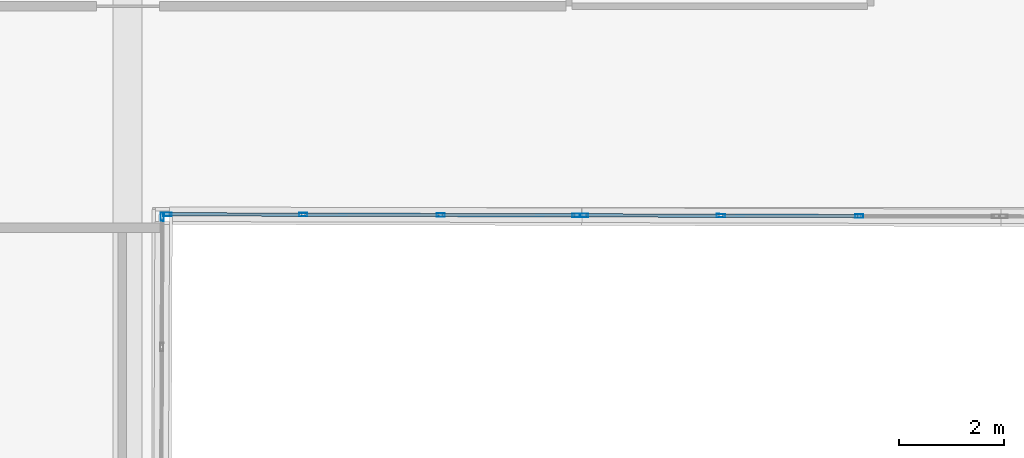
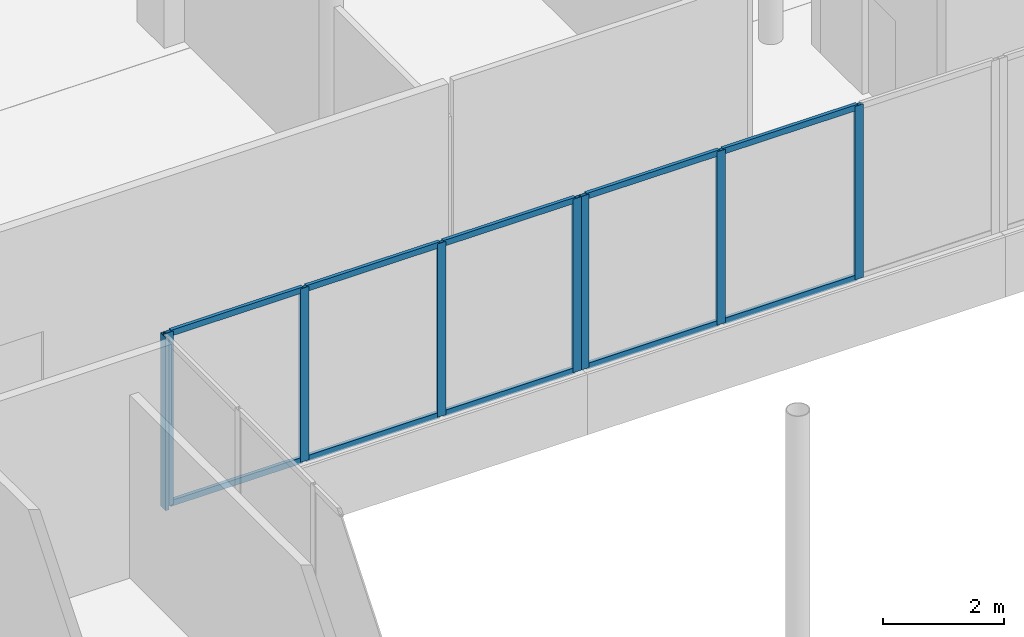
# One storey, part 72 of 168: 18 members, 3 elements without a shape of their own.
"""IFC4 building model written with IfcOpenShell, lengths in metres."""

from ifc_helpers import new_model, si_unit, direction, frame, origin, origin_2d, place, context, subcontext, project, spatial, hollow_rectangle, extrude, material, material_profile, profile_set, type_object, element, aggregate, save


model = new_model("IFC4")

# Units and contexts
model_context = context("Model", 3, precision=1e-05, world=origin(), true_north=direction((0.0, 1.0)))
body_context = subcontext(model_context, "Body", "Model", "MODEL_VIEW")
ifc_project = project(units=[si_unit("LENGTHUNIT", "METRE"), si_unit("AREAUNIT", "SQUARE_METRE"), si_unit("VOLUMEUNIT", "CUBIC_METRE"), si_unit("PLANEANGLEUNIT", "RADIAN"), si_unit("MASSUNIT", "GRAM", prefix="KILO")], contexts=[model_context])

# Site, building, storey
site_placement = place(None, origin())
site = spatial("IfcSite", under=ifc_project, at=site_placement, CompositionType="ELEMENT")
building_placement = place(site_placement, origin())
building = spatial("IfcBuilding", under=site, at=building_placement, Name="Selatvlak General Hospital", CompositionType="ELEMENT")
storey_placement = place(building_placement, frame((0.0, 0.0, 5.39990234375)))
storey = spatial("IfcBuildingStorey", under=building, at=storey_placement, Name="L01", CompositionType="ELEMENT", Elevation=5.39990234375)

# Curtain wall, member
ifc_material_1 = material(Name="Solar-control Low-E double glazing", Category="glass")
curtain_wall_type_1 = type_object("IfcCurtainWallType", Name="CW-CW-01", PredefinedType="USERDEFINED", material=ifc_material_1)
curtain_wall_1_placement = place(storey_placement, origin())
curtain_wall_1 = element("IfcCurtainWall", 1, at=curtain_wall_1_placement, inside=storey, type_object=curtain_wall_type_1, Name="Glazed facade curtain wall CW-L01-0229", ObjectType="UNITISED CURTAIN WALL", PredefinedType="USERDEFINED")
ifc_material_2 = material(Name="Dark anodised aluminium mullion", Category="aluminium")
ifc_material_profile_1 = material_profile(ifc_material_2, hollow_rectangle(XDim=0.06494140625, YDim=0.159912109375, WallThickness=0.00390625, at=origin_2d()), Name="AL-MUL 65x160x4")
ifc_profile_set_1 = profile_set([ifc_material_profile_1], Name="Dark anodised aluminium mullion")
member_type_1 = type_object("IfcMemberType", Name="CWM-01", PredefinedType="MULLION", material=ifc_profile_set_1)
member_1_placement = place(storey_placement, frame((40.259765625, 75.552490234375, 0.940185546875), z_axis=(0.0, 0.0, 1.0), x_axis=(0.999992084749, -0.003978748356, 0.0)))
member_1 = element("IfcMember", 2, at=member_1_placement, type_object=member_type_1, Name="CW-01 mullion 1", PredefinedType="MULLION", context=body_context, shape_type="SweptSolid", body=[
    extrude(hollow_rectangle(XDim=0.06494140625, YDim=0.159912109375, WallThickness=0.00390625, at=origin_2d()), origin(), (0.0, 0.0, 1.0), 3.5048828125),
])
aggregate(curtain_wall_1, [member_1])

# Curtain wall, members
curtain_wall_type_2 = type_object("IfcCurtainWallType", Name="CW-CW-02", PredefinedType="USERDEFINED", material=ifc_material_1)
curtain_wall_2_placement = place(storey_placement, origin())
curtain_wall_2 = element("IfcCurtainWall", 3, at=curtain_wall_2_placement, inside=storey, type_object=curtain_wall_type_2, Name="Glazed facade curtain wall CW-L01-0237", ObjectType="UNITISED CURTAIN WALL", PredefinedType="USERDEFINED")
member_2_placement = place(storey_placement, frame((53.521728515625, 75.566650390625, 0.940185546875), z_axis=(0.0, 0.0, 1.0), x_axis=(-0.002531637448, -0.999996795401, 0.0)))
member_2 = element("IfcMember", 4, at=member_2_placement, type_object=member_type_1, Name="CW-02 mullion 2", PredefinedType="MULLION", context=body_context, shape_type="SweptSolid", body=[
    extrude(hollow_rectangle(XDim=0.06494140625, YDim=0.159912109375, WallThickness=0.00390625, at=origin_2d()), origin(), (0.0, 0.0, 1.0), 3.5048828125),
])
member_3_placement = place(storey_placement, frame((50.888427734375, 75.5732421875, 0.940185546875), z_axis=(0.0, 0.0, 1.0), x_axis=(-0.002531637448, -0.999996795401, 0.0)))
member_3 = element("IfcMember", 5, at=member_3_placement, type_object=member_type_1, Name="CW-02 mullion 3", PredefinedType="MULLION", context=body_context, shape_type="SweptSolid", body=[
    extrude(hollow_rectangle(XDim=0.06494140625, YDim=0.159912109375, WallThickness=0.00390625, at=origin_2d()), origin(), (0.0, 0.0, 1.0), 3.5048828125),
])
member_4_placement = place(storey_placement, frame((48.28759765625, 75.579833984375, 0.940185546875), z_axis=(0.0, 0.0, 1.0), x_axis=(-0.002531637448, -0.999996795401, 0.0)))
member_4 = element("IfcMember", 6, at=member_4_placement, type_object=member_type_1, Name="CW-02 mullion 4", PredefinedType="MULLION", context=body_context, shape_type="SweptSolid", body=[
    extrude(hollow_rectangle(XDim=0.06494140625, YDim=0.159912109375, WallThickness=0.00390625, at=origin_2d()), origin(), (0.0, 0.0, 1.0), 3.5048828125),
])

curtain_wall_3_placement = place(storey_placement, origin())
curtain_wall_3 = element("IfcCurtainWall", 7, at=curtain_wall_3_placement, inside=storey, type_object=curtain_wall_type_1, Name="Glazed facade curtain wall CW-L01-0238", ObjectType="UNITISED CURTAIN WALL", PredefinedType="USERDEFINED")
member_5_placement = place(storey_placement, frame((48.142578125, 75.580078125, 0.940185546875), z_axis=(0.0, 0.0, 1.0), x_axis=(-0.002547762424, -0.999996754448, 0.0)))
member_5 = element("IfcMember", 8, at=member_5_placement, type_object=member_type_1, Name="CW-01 mullion 1", PredefinedType="MULLION", context=body_context, shape_type="SweptSolid", body=[
    extrude(hollow_rectangle(XDim=0.06494140625, YDim=0.159912109375, WallThickness=0.00390625, at=origin_2d()), origin(), (0.0, 0.0, 1.0), 3.5048828125),
])
member_6_placement = place(storey_placement, frame((45.558349609375, 75.586669921875, 0.940185546875), z_axis=(0.0, 0.0, 1.0), x_axis=(-0.002547762424, -0.999996754448, 0.0)))
member_6 = element("IfcMember", 9, at=member_6_placement, type_object=member_type_1, Name="CW-01 mullion 2", PredefinedType="MULLION", context=body_context, shape_type="SweptSolid", body=[
    extrude(hollow_rectangle(XDim=0.06494140625, YDim=0.159912109375, WallThickness=0.00390625, at=origin_2d()), origin(), (0.0, 0.0, 1.0), 3.5048828125),
])
member_7_placement = place(storey_placement, frame((42.941650390625, 75.59326171875, 0.940185546875), z_axis=(0.0, 0.0, 1.0), x_axis=(-0.002547762424, -0.999996754448, 0.0)))
member_7 = element("IfcMember", 10, at=member_7_placement, type_object=member_type_1, Name="CW-01 mullion 3", PredefinedType="MULLION", context=body_context, shape_type="SweptSolid", body=[
    extrude(hollow_rectangle(XDim=0.06494140625, YDim=0.159912109375, WallThickness=0.00390625, at=origin_2d()), origin(), (0.0, 0.0, 1.0), 3.5048828125),
])
member_8_placement = place(storey_placement, frame((40.357421875, 75.599853515625, 0.940185546875), z_axis=(0.0, 0.0, 1.0), x_axis=(-0.002547762424, -0.999996754448, 0.0)))
member_8 = element("IfcMember", 11, at=member_8_placement, type_object=member_type_1, Name="CW-01 mullion 4", PredefinedType="MULLION", context=body_context, shape_type="SweptSolid", body=[
    extrude(hollow_rectangle(XDim=0.06494140625, YDim=0.159912109375, WallThickness=0.00390625, at=origin_2d()), origin(), (0.0, 0.0, 1.0), 3.5048828125),
])

# Member
ifc_material_profile_2 = material_profile(ifc_material_2, hollow_rectangle(XDim=0.06494140625, YDim=0.1201171875, WallThickness=0.00390625, at=origin_2d()), Name="AL-TRN 65x120x4")
ifc_profile_set_2 = profile_set([ifc_material_profile_2], Name="Dark anodised aluminium mullion")
member_type_2 = type_object("IfcMemberType", Name="CWT-01", PredefinedType="USERDEFINED", material=ifc_profile_set_2)
member_9_placement = place(storey_placement, frame((53.4892578125, 75.566650390625, 0.97265625), z_axis=(-0.999996706453, 0.002566531471, 0.0), x_axis=(-0.002566531471, -0.999996706453, 0.0)))
member_9 = element("IfcMember", 12, at=member_9_placement, type_object=member_type_2, Name="CW-02 transom 2.1", ObjectType="TRANSOM", PredefinedType="USERDEFINED", context=body_context, shape_type="SweptSolid", body=[
    extrude(hollow_rectangle(XDim=0.06494140625, YDim=0.1201171875, WallThickness=0.00390625, at=origin_2d()), origin(), (0.0, 0.0, 1.0), 2.568359375),
])

member_10_placement = place(storey_placement, frame((53.4892578125, 75.566650390625, 4.41259765625), z_axis=(-0.999996706453, 0.002566531471, 0.0), x_axis=(-0.002566531471, -0.999996706453, 0.0)))
member_10 = element("IfcMember", 13, at=member_10_placement, type_object=member_type_2, Name="CW-02 transom 2.2", ObjectType="TRANSOM", PredefinedType="USERDEFINED", context=body_context, shape_type="SweptSolid", body=[
    extrude(hollow_rectangle(XDim=0.06494140625, YDim=0.1201171875, WallThickness=0.00390625, at=origin_2d()), origin(), (0.0, 0.0, 1.0), 2.568359375),
])

member_11_placement = place(storey_placement, frame((50.855712890625, 75.573486328125, 0.97265625), z_axis=(-0.999996866584, 0.002503362077, 0.0), x_axis=(-0.002503362077, -0.999996866584, 0.0)))
member_11 = element("IfcMember", 14, at=member_11_placement, type_object=member_type_2, Name="CW-02 transom 3.1", ObjectType="TRANSOM", PredefinedType="USERDEFINED", context=body_context, shape_type="SweptSolid", body=[
    extrude(hollow_rectangle(XDim=0.06494140625, YDim=0.1201171875, WallThickness=0.00390625, at=origin_2d()), origin(), (0.0, 0.0, 1.0), 2.53564453125),
])

member_12_placement = place(storey_placement, frame((50.855712890625, 75.573486328125, 4.41259765625), z_axis=(-0.999996866584, 0.002503362077, 0.0), x_axis=(-0.002503362077, -0.999996866584, 0.0)))
member_12 = element("IfcMember", 15, at=member_12_placement, type_object=member_type_2, Name="CW-02 transom 3.2", ObjectType="TRANSOM", PredefinedType="USERDEFINED", context=body_context, shape_type="SweptSolid", body=[
    extrude(hollow_rectangle(XDim=0.06494140625, YDim=0.1201171875, WallThickness=0.00390625, at=origin_2d()), origin(), (0.0, 0.0, 1.0), 2.53564453125),
])

aggregate(curtain_wall_2, [member_2, member_3, member_4, member_9, member_10, member_11, member_12])

member_13_placement = place(storey_placement, frame((48.110107421875, 75.580078125, 0.97265625), z_axis=(-0.999996576896, 0.002616523653, 0.0), x_axis=(-0.002616523653, -0.999996576896, 0.0)))
member_13 = element("IfcMember", 16, at=member_13_placement, type_object=member_type_2, Name="CW-01 transom 1.1", ObjectType="TRANSOM", PredefinedType="USERDEFINED", context=body_context, shape_type="SweptSolid", body=[
    extrude(hollow_rectangle(XDim=0.06494140625, YDim=0.1201171875, WallThickness=0.00390625, at=origin_2d()), origin(), (0.0, 0.0, 1.0), 2.519287109375),
])

member_14_placement = place(storey_placement, frame((48.110107421875, 75.580078125, 4.41259765625), z_axis=(-0.999996576896, 0.002616523653, 0.0), x_axis=(-0.002616523653, -0.999996576896, 0.0)))
member_14 = element("IfcMember", 17, at=member_14_placement, type_object=member_type_2, Name="CW-01 transom 1.2", ObjectType="TRANSOM", PredefinedType="USERDEFINED", context=body_context, shape_type="SweptSolid", body=[
    extrude(hollow_rectangle(XDim=0.06494140625, YDim=0.1201171875, WallThickness=0.00390625, at=origin_2d()), origin(), (0.0, 0.0, 1.0), 2.519287109375),
])

member_15_placement = place(storey_placement, frame((45.52587890625, 75.586669921875, 0.97265625), z_axis=(-0.999996663458, 0.002583229039, 0.0), x_axis=(-0.002583229039, -0.999996663458, 0.0)))
member_15 = element("IfcMember", 18, at=member_15_placement, type_object=member_type_2, Name="CW-01 transom 2.1", ObjectType="TRANSOM", PredefinedType="USERDEFINED", context=body_context, shape_type="SweptSolid", body=[
    extrude(hollow_rectangle(XDim=0.06494140625, YDim=0.1201171875, WallThickness=0.00390625, at=origin_2d()), origin(), (0.0, 0.0, 1.0), 2.5517578125),
])

member_16_placement = place(storey_placement, frame((45.52587890625, 75.586669921875, 4.41259765625), z_axis=(-0.999996663458, 0.002583229039, 0.0), x_axis=(-0.002583229039, -0.999996663458, 0.0)))
member_16 = element("IfcMember", 19, at=member_16_placement, type_object=member_type_2, Name="CW-01 transom 2.2", ObjectType="TRANSOM", PredefinedType="USERDEFINED", context=body_context, shape_type="SweptSolid", body=[
    extrude(hollow_rectangle(XDim=0.06494140625, YDim=0.1201171875, WallThickness=0.00390625, at=origin_2d()), origin(), (0.0, 0.0, 1.0), 2.5517578125),
])

member_17_placement = place(storey_placement, frame((42.9091796875, 75.593505859375, 0.97265625), z_axis=(-0.999996825763, 0.002519615997, 0.0), x_axis=(-0.002519615997, -0.999996825763, 0.0)))
member_17 = element("IfcMember", 20, at=member_17_placement, type_object=member_type_2, Name="CW-01 transom 3.1", ObjectType="TRANSOM", PredefinedType="USERDEFINED", context=body_context, shape_type="SweptSolid", body=[
    extrude(hollow_rectangle(XDim=0.06494140625, YDim=0.1201171875, WallThickness=0.00390625, at=origin_2d()), origin(), (0.0, 0.0, 1.0), 2.519287109375),
])

member_18_placement = place(storey_placement, frame((42.9091796875, 75.593505859375, 4.41259765625), z_axis=(-0.999996825763, 0.002519615997, 0.0), x_axis=(-0.002519615997, -0.999996825763, 0.0)))
member_18 = element("IfcMember", 21, at=member_18_placement, type_object=member_type_2, Name="CW-01 transom 3.2", ObjectType="TRANSOM", PredefinedType="USERDEFINED", context=body_context, shape_type="SweptSolid", body=[
    extrude(hollow_rectangle(XDim=0.06494140625, YDim=0.1201171875, WallThickness=0.00390625, at=origin_2d()), origin(), (0.0, 0.0, 1.0), 2.519287109375),
])

aggregate(curtain_wall_3, [member_5, member_6, member_7, member_8, member_13, member_14, member_15, member_16, member_17, member_18])

save(model, "model.ifc")
